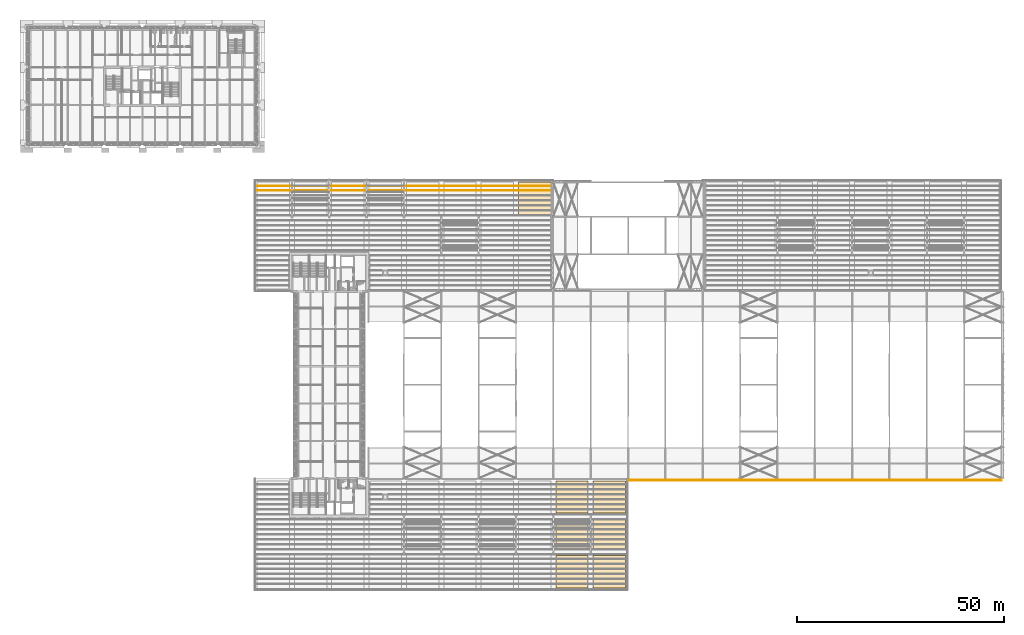
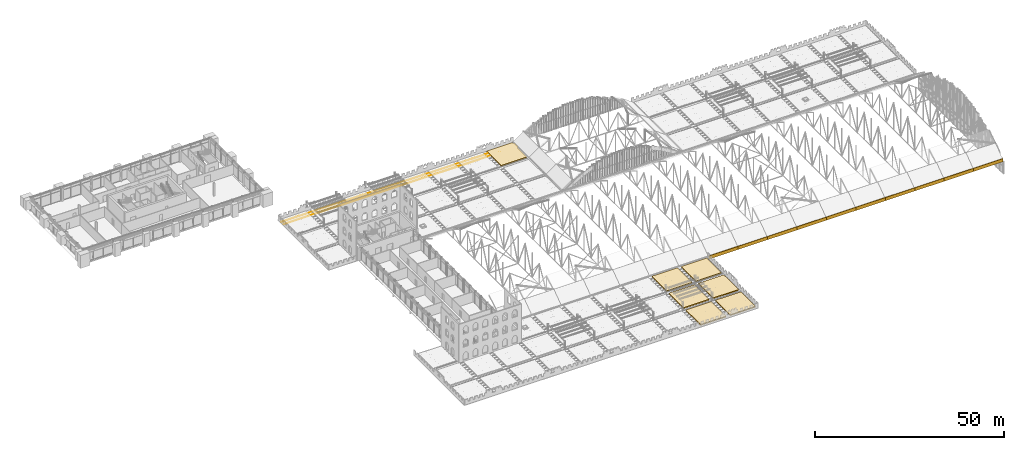
# One storey, part 144 of 153: 19 coverings.
"""IFC4 building model written with IfcOpenShell, lengths in metres."""

from ifc_helpers import new_model, si_unit, direction, frame, origin, place, context, subcontext, project, spatial, polyline, outline, extrude, material, layer, layer_set, type_object, element, save


model = new_model("IFC4")

# Units and contexts
model_context = context("Model", 3, precision=1e-05, world=origin(), true_north=direction((0.0, 1.0)))
body_context = subcontext(model_context, "Body", "Model", "MODEL_VIEW")
ifc_project = project(units=[si_unit("LENGTHUNIT", "METRE"), si_unit("AREAUNIT", "SQUARE_METRE"), si_unit("VOLUMEUNIT", "CUBIC_METRE"), si_unit("PLANEANGLEUNIT", "RADIAN"), si_unit("MASSUNIT", "GRAM", prefix="KILO")], contexts=[model_context])

# Site, building, storey
site_placement = place(None, origin())
site = spatial("IfcSite", under=ifc_project, at=site_placement, CompositionType="ELEMENT")
building_placement = place(site_placement, origin())
building = spatial("IfcBuilding", under=site, at=building_placement, Name="Baradari Gate Terminus", CompositionType="ELEMENT")
storey_placement = place(building_placement, frame((0.0, 0.0, 11.699951171875)))
storey = spatial("IfcBuildingStorey", under=building, at=storey_placement, Name="L02", CompositionType="ELEMENT", Elevation=11.699951171875)

# Coverings
ifc_material_1 = material(Name="Planted substrate")
ifc_layer_1 = layer(ifc_material_1, 0.35009765625)
ifc_layer_set_1 = layer_set([ifc_layer_1], Name="Planted substrate")
covering_type_1 = type_object("IfcCoveringType", Name="Planted roof bed GR-1 350", PredefinedType="USERDEFINED", material=ifc_layer_set_1)
covering_1_placement = place(storey_placement, origin())
element("IfcCovering", 1, at=covering_1_placement, inside=storey, type_object=covering_type_1, Name="RF/L02/GRW0803-1", ObjectType="PLANTED BED", PredefinedType="USERDEFINED", context=body_context, shape_type="SweptSolid", body=[
    extrude(outline(polyline([(126.60009765625, 99.60009765625), (126.60009765625, 107.353515625), (134.39990234375, 107.353515625), (134.39990234375, 99.60009765625), (126.60009765625, 99.60009765625)])), origin(), (0.0, 0.0, 1.0), 0.35009765625),
])
covering_2_placement = place(storey_placement, origin())
element("IfcCovering", 2, at=covering_2_placement, inside=storey, type_object=covering_type_1, Name="RF/L02/GRS0901-1", ObjectType="PLANTED BED", PredefinedType="USERDEFINED", context=body_context, shape_type="SweptSolid", body=[
    extrude(outline(polyline([(135.60009765625, 17.39990234375), (143.39990234375, 17.39990234375), (143.39990234375, 9.60009765625), (135.60009765625, 9.60009765625), (135.60009765625, 17.39990234375)])), origin(), (0.0, 0.0, 1.0), 0.35009765625),
])
covering_3_placement = place(storey_placement, origin())
element("IfcCovering", 3, at=covering_3_placement, inside=storey, type_object=covering_type_1, Name="RF/L02/GRS0902-1", ObjectType="PLANTED BED", PredefinedType="USERDEFINED", context=body_context, shape_type="SweptSolid", body=[
    extrude(outline(polyline([(135.60009765625, 26.39990234375), (143.39990234375, 26.39990234375), (143.39990234375, 18.60009765625), (135.60009765625, 18.60009765625), (135.60009765625, 26.39990234375)])), origin(), (0.0, 0.0, 1.0), 0.35009765625),
])
covering_4_placement = place(storey_placement, origin())
element("IfcCovering", 4, at=covering_4_placement, inside=storey, type_object=covering_type_1, Name="RF/L02/GRS0903-1", ObjectType="PLANTED BED", PredefinedType="USERDEFINED", context=body_context, shape_type="SweptSolid", body=[
    extrude(outline(polyline([(135.60009765625, 35.39990234375), (143.39990234375, 35.39990234375), (143.39990234375, 27.60009765625), (135.60009765625, 27.60009765625), (135.60009765625, 35.39990234375)])), origin(), (0.0, 0.0, 1.0), 0.35009765625),
])
covering_5_placement = place(storey_placement, origin())
element("IfcCovering", 5, at=covering_5_placement, inside=storey, type_object=covering_type_1, Name="RF/L02/GRS1001-1", ObjectType="PLANTED BED", PredefinedType="USERDEFINED", context=body_context, shape_type="SweptSolid", body=[
    extrude(outline(polyline([(144.60009765625, 17.39990234375), (152.39990234375, 17.39990234375), (152.39990234375, 9.60009765625), (144.60009765625, 9.60009765625), (144.60009765625, 17.39990234375)])), origin(), (0.0, 0.0, 1.0), 0.35009765625),
])
covering_6_placement = place(storey_placement, origin())
element("IfcCovering", 6, at=covering_6_placement, inside=storey, type_object=covering_type_1, Name="RF/L02/GRS1002-1", ObjectType="PLANTED BED", PredefinedType="USERDEFINED", context=body_context, shape_type="SweptSolid", body=[
    extrude(outline(polyline([(144.60009765625, 26.39990234375), (152.39990234375, 26.39990234375), (152.39990234375, 18.60009765625), (144.60009765625, 18.60009765625), (144.60009765625, 26.39990234375)])), origin(), (0.0, 0.0, 1.0), 0.35009765625),
])
covering_7_placement = place(storey_placement, origin())
element("IfcCovering", 7, at=covering_7_placement, inside=storey, type_object=covering_type_1, Name="RF/L02/GRS1003-1", ObjectType="PLANTED BED", PredefinedType="USERDEFINED", context=body_context, shape_type="SweptSolid", body=[
    extrude(outline(polyline([(144.60009765625, 35.39990234375), (152.39990234375, 35.39990234375), (152.39990234375, 27.60009765625), (144.60009765625, 27.60009765625), (144.60009765625, 35.39990234375)])), origin(), (0.0, 0.0, 1.0), 0.35009765625),
])
ifc_material_2 = material(Name="Concrete C40/50 precast", Category="concrete")
ifc_layer_2 = layer(ifc_material_2, 0.14990234375)
ifc_layer_set_2 = layer_set([ifc_layer_2], Name="Concrete C40/50 precast")
covering_type_2 = type_object("IfcCoveringType", Name="Shed screen lintel band LB-2 150", PredefinedType="CLADDING", material=ifc_layer_set_2)
for number, where, z_axis, x_axis, name in (
    (8, (153.0, 35.52001953125, -0.300048828125), (0.0, 0.0, 1.0), (1.0, 0.0, 0.0), "Shed screen lintel band bay 1"),
    (9, (162.0, 35.52001953125, -0.300048828125), (0.0, 0.0, 1.0), (1.0, 0.0, 0.0), "Shed screen lintel band bay 2"),
    (10, (171.0, 35.52001953125, -0.300048828125), (0.0, 0.0, 1.0), (1.0, 0.0, 0.0), "Shed screen lintel band bay 3"),
    (11, (180.0, 35.52001953125, -0.300048828125), (0.0, 0.0, 1.0), (1.0, 0.0, 0.0), "Shed screen lintel band bay 4"),
    (12, (189.0, 35.52001953125, -0.300048828125), (0.0, 0.0, 1.0), (1.0, 0.0, 0.0), "Shed screen lintel band bay 5"),
    (13, (198.0, 35.52001953125, -0.300048828125), (0.0, 0.0, 1.0), (1.0, 0.0, 0.0), "Shed screen lintel band bay 6"),
    (14, (207.0, 35.52001953125, -0.300048828125), (0.0, 0.0, 1.0), (1.0, 0.0, 0.0), "Shed screen lintel band bay 7"),
    (15, (216.0, 35.52001953125, -0.300048828125), (0.0, 0.0, 1.0), (1.0, 0.0, 0.0), "Shed screen lintel band bay 8"),
    (16, (225.0, 35.52001953125, -0.300048828125), (0.0, 0.0, 1.0), (1.0, 0.0, 0.0), "Shed screen lintel band bay 9"),
    (17, (234.0, 35.52001953125, -0.300048828125), (0.0, 0.0, 1.0), (1.0, 0.0, 0.0), "Shed screen lintel band bay 10"),
):
    element("IfcCovering", number, at=place(storey_placement, frame(where, z_axis=z_axis, x_axis=x_axis)), inside=storey, type_object=covering_type_2, Name=name, PredefinedType="CLADDING", context=body_context, shape_type="SweptSolid", body=[
        extrude(outline(polyline([(9.0, 0.0), (9.0, 1.038818359375), (0.0, 1.038818359375), (0.0, 0.0), (9.0, 0.0)])), frame((0.0, 0.074951171875, 0.0), z_axis=(0.0, -1.0, 0.0), x_axis=(1.0, 0.0, 0.0)), (0.0, 0.0, 1.0), 0.14990234375),
    ])
ifc_material_3 = material(Name="Terracotta paving", Category="masonry")
ifc_layer_3 = layer(ifc_material_3, 0.050048828125)
ifc_layer_set_3 = layer_set([ifc_layer_3], Name="Terracotta paving")
covering_type_3 = type_object("IfcCoveringType", Name="Terracotta tile course RP-2 50", PredefinedType="FLOORING", material=ifc_layer_set_3)
covering_8_placement = place(storey_placement, frame((0.0, 0.0, 0.030029296875)))
element("IfcCovering", 18, at=covering_8_placement, inside=storey, type_object=covering_type_3, Name="Terracotta tile course RP-2 head-roof-west", PredefinedType="FLOORING", context=body_context, shape_type="SweptSolid", body=[
    extrude(outline(polyline([(134.64990234375, 105.239990234375), (134.64990234375, 105.360107421875), (63.35009765625, 105.360107421875), (63.35009765625, 105.239990234375), (134.64990234375, 105.239990234375)])), origin(), (0.0, 0.0, 1.0), 0.050048828125),
])
covering_9_placement = place(storey_placement, frame((0.0, 0.0, 0.030029296875)))
element("IfcCovering", 19, at=covering_9_placement, inside=storey, type_object=covering_type_3, Name="Terracotta tile course RP-2 head-roof-west", PredefinedType="FLOORING", context=body_context, shape_type="SweptSolid", body=[
    extrude(outline(polyline([(134.64990234375, 106.43994140625), (134.64990234375, 106.56005859375), (63.35009765625, 106.56005859375), (63.35009765625, 106.43994140625), (134.64990234375, 106.43994140625)])), origin(), (0.0, 0.0, 1.0), 0.050048828125),
])

save(model, "model.ifc")
